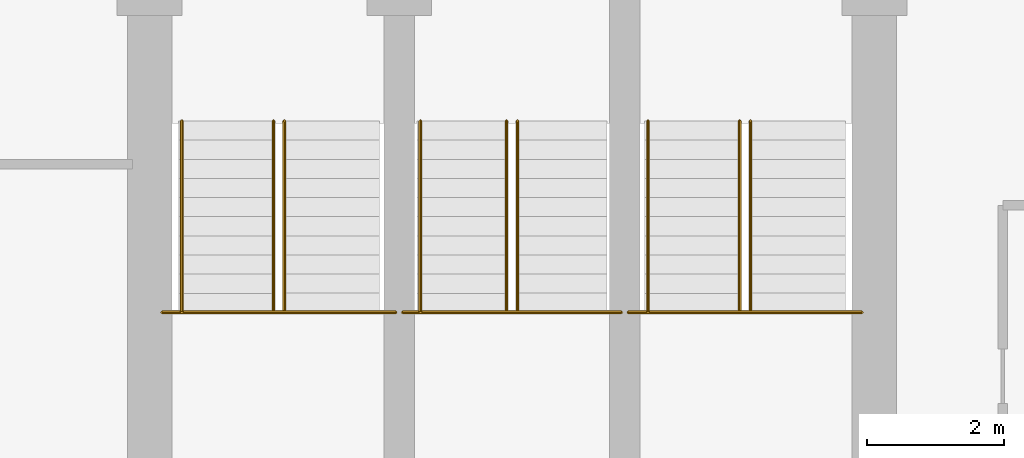
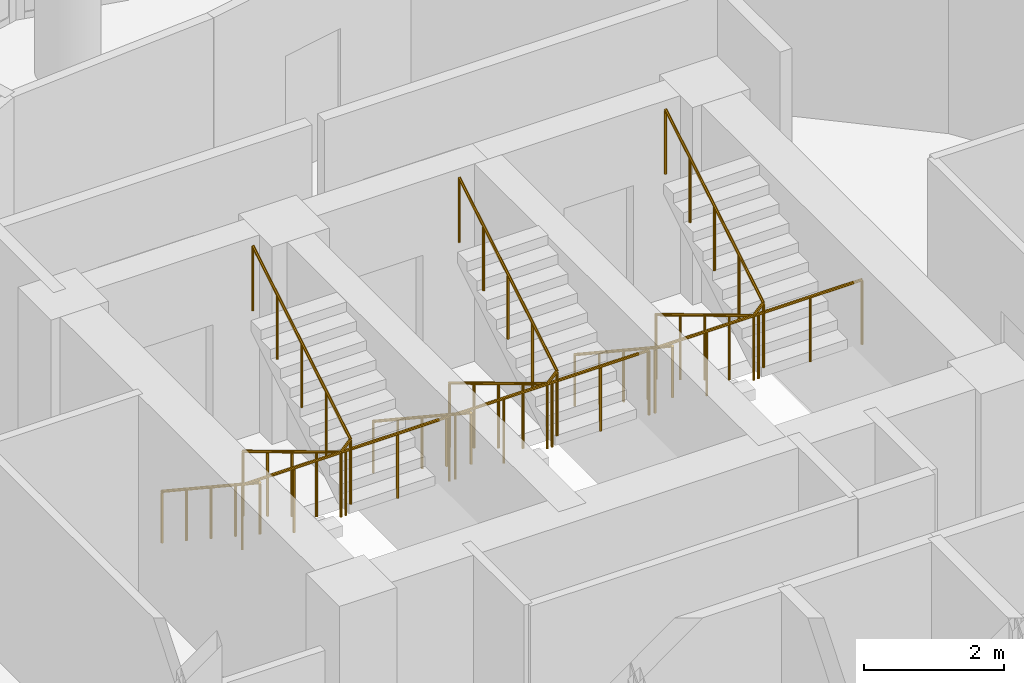
# One storey, part 26 of 26: 9 railings.
"""IFC4 building model written with IfcOpenShell, lengths in metres."""

from ifc_helpers import new_model, si_unit, direction, frame, origin, place, context, subcontext, project, spatial, polyline, outline, extrude, material, type_object, element, save


model = new_model("IFC4")

# Units and contexts
model_context = context("Model", 3, precision=1e-05, world=origin(), true_north=direction((0.0, 1.0)))
body_context = subcontext(model_context, "Body", "Model", "MODEL_VIEW")
ifc_project = project(units=[si_unit("LENGTHUNIT", "METRE"), si_unit("AREAUNIT", "SQUARE_METRE"), si_unit("VOLUMEUNIT", "CUBIC_METRE"), si_unit("PLANEANGLEUNIT", "RADIAN"), si_unit("MASSUNIT", "GRAM", prefix="KILO")], contexts=[model_context])

# Site, building, storey
site_placement = place(None, origin())
site = spatial("IfcSite", under=ifc_project, at=site_placement, CompositionType="ELEMENT")
building_placement = place(site_placement, origin())
building = spatial("IfcBuilding", under=site, at=building_placement, Name="Nuhasar Tower", CompositionType="ELEMENT")
storey_placement = place(building_placement, frame((0.0, 0.0, 125.64990234375)))
storey = spatial("IfcBuildingStorey", under=building, at=storey_placement, Name="L29", CompositionType="ELEMENT", Elevation=125.64990234375)

# Railings
ifc_material_1 = material(Name="Steel S355", Category="steel")
railing_type_1 = type_object("IfcRailingType", Name="RLG-STAIR-GUARD-1150", PredefinedType="GUARDRAIL", material=ifc_material_1)
railing_1_placement = place(storey_placement, frame((33.8798828125, 32.485107421875, 1.85009765625)))
element("IfcRailing", 1, at=railing_1_placement, inside=storey, type_object=railing_type_1, Name="L29 Stair ST-01 Guardrail LND", PredefinedType="GUARDRAIL", context=body_context, shape_type="SweptSolid", body=[
    extrude(outline(polyline([(0.024169921875, 0.0), (0.01708984375, 0.01708984375), (0.0, 0.024169921875), (-0.01708984375, 0.01708984375), (-0.024169921875, 0.0), (-0.01708984375, -0.01708984375), (0.0, -0.024169921875), (0.01708984375, -0.01708984375), (0.024169921875, 0.0)])), frame((0.0, 0.0, 1.1259765625), z_axis=(1.0, 0.0, 0.0), x_axis=(0.0, 1.0, 0.0)), (0.0, 0.0, 1.0), 3.420166015625),
    extrude(outline(polyline([(0.02099609375, 0.0), (0.014892578125, 0.014892578125), (0.0, 0.02099609375), (-0.014892578125, 0.014892578125), (-0.02099609375, 0.0), (-0.014892578125, -0.014892578125), (0.0, -0.02099609375), (0.014892578125, -0.014892578125), (0.02099609375, 0.0)])), origin(), (0.0, 0.0, 1.0), 1.101806640625),
    extrude(outline(polyline([(0.02099609375, 0.0), (0.014892578125, 0.014892578125), (0.0, 0.02099609375), (-0.014892578125, 0.014892578125), (-0.02099609375, 0.0), (-0.014892578125, -0.014892578125), (0.0, -0.02099609375), (0.014892578125, -0.014892578125), (0.02099609375, 0.0)])), frame((0.85498046875, 0.0, 0.0)), (0.0, 0.0, 1.0), 1.101806640625),
    extrude(outline(polyline([(0.02099609375, 0.0), (0.014892578125, 0.014892578125), (0.0, 0.02099609375), (-0.014892578125, 0.014892578125), (-0.02099609375, 0.0), (-0.014892578125, -0.014892578125), (0.0, -0.02099609375), (0.014892578125, -0.014892578125), (0.02099609375, 0.0)])), frame((1.7099609375, 0.0, 0.0)), (0.0, 0.0, 1.0), 1.101806640625),
    extrude(outline(polyline([(0.02099609375, 0.0), (0.014892578125, 0.014892578125), (0.0, 0.02099609375), (-0.014892578125, 0.014892578125), (-0.02099609375, 0.0), (-0.014892578125, -0.014892578125), (0.0, -0.02099609375), (0.014892578125, -0.014892578125), (0.02099609375, 0.0)])), frame((2.565185546875, 0.0, 0.0)), (0.0, 0.0, 1.0), 1.101806640625),
    extrude(outline(polyline([(0.02099609375, 0.0), (0.014892578125, 0.014892578125), (0.0, 0.02099609375), (-0.014892578125, 0.014892578125), (-0.02099609375, 0.0), (-0.014892578125, -0.014892578125), (0.0, -0.02099609375), (0.014892578125, -0.014892578125), (0.02099609375, 0.0)])), frame((3.420166015625, 0.0, 0.0)), (0.0, 0.0, 1.0), 1.101806640625),
])
railing_2_placement = place(storey_placement, frame((35.510009765625, 35.284912109375, 0.168212890625)))
element("IfcRailing", 2, at=railing_2_placement, inside=storey, type_object=railing_type_1, Name="L29 Stair ST-01 Guardrail SLT", PredefinedType="GUARDRAIL", context=body_context, shape_type="SweptSolid", body=[
    extrude(outline(polyline([(0.024169921875, 0.0), (0.01708984375, 0.01708984375), (0.0, 0.024169921875), (-0.01708984375, 0.01708984375), (-0.024169921875, 0.0), (-0.01708984375, -0.01708984375), (0.0, -0.024169921875), (0.01708984375, -0.01708984375), (0.024169921875, 0.0)])), frame((0.0, 0.0, 1.1259765625), z_axis=(0.0, -0.857222391501, 0.514946377315), x_axis=(1.0, 0.0, 0.0)), (0.0, 0.0, 1.0), 3.26611328125),
    extrude(outline(polyline([(0.024169921875, 0.0), (0.01708984375, 0.01708984375), (0.0, 0.024169921875), (-0.01708984375, 0.01708984375), (-0.024169921875, 0.0), (-0.01708984375, -0.01708984375), (0.0, -0.024169921875), (0.01708984375, -0.01708984375), (0.024169921875, 0.0)])), frame((0.0, -2.7998046875, 2.8076171875), z_axis=(0.689523729023, 0.0, 0.72426309247), x_axis=(0.0, 1.0, 0.0)), (0.0, 0.0, 1.0), 0.23193359375),
    extrude(outline(polyline([(0.024169921875, 0.0), (0.01708984375, 0.01708984375), (0.0, 0.024169921875), (-0.01708984375, 0.01708984375), (-0.024169921875, 0.0), (-0.01708984375, -0.01708984375), (0.0, -0.024169921875), (0.01708984375, -0.01708984375), (0.024169921875, 0.0)])), frame((0.159912109375, -2.7998046875, 2.9755859375), z_axis=(0.0, 0.857189395008, 0.515001302023), x_axis=(-1.0, 0.0, 0.0)), (0.0, 0.0, 1.0), 3.266357421875),
    extrude(outline(polyline([(0.02099609375, 0.0), (0.014892578125, 0.014892578125), (0.0, 0.02099609375), (-0.014892578125, 0.014892578125), (-0.02099609375, 0.0), (-0.014892578125, -0.014892578125), (0.0, -0.02099609375), (0.014892578125, -0.014892578125), (0.02099609375, 0.0)])), origin(), (0.0, 0.0, 1.0), 1.101806640625),
    extrude(outline(polyline([(0.02099609375, 0.0), (0.014892578125, 0.014892578125), (0.0, 0.02099609375), (-0.014892578125, 0.014892578125), (-0.02099609375, 0.0), (-0.014892578125, -0.014892578125), (0.0, -0.02099609375), (0.014892578125, -0.014892578125), (0.02099609375, 0.0)])), frame((0.0, -0.699951171875, 0.42041015625)), (0.0, 0.0, 1.0), 1.101806640625),
    extrude(outline(polyline([(0.02099609375, 0.0), (0.014892578125, 0.014892578125), (0.0, 0.02099609375), (-0.014892578125, 0.014892578125), (-0.02099609375, 0.0), (-0.014892578125, -0.014892578125), (0.0, -0.02099609375), (0.014892578125, -0.014892578125), (0.02099609375, 0.0)])), frame((0.0, -1.39990234375, 0.8408203125)), (0.0, 0.0, 1.0), 1.101806640625),
    extrude(outline(polyline([(0.02099609375, 0.0), (0.014892578125, 0.014892578125), (0.0, 0.02099609375), (-0.014892578125, 0.014892578125), (-0.02099609375, 0.0), (-0.014892578125, -0.014892578125), (0.0, -0.02099609375), (0.014892578125, -0.014892578125), (0.02099609375, 0.0)])), frame((0.0, -2.099853515625, 1.261474609375)), (0.0, 0.0, 1.0), 1.101806640625),
    extrude(outline(polyline([(0.02099609375, 0.0), (0.014892578125, 0.014892578125), (0.0, 0.02099609375), (-0.014892578125, 0.014892578125), (-0.02099609375, 0.0), (-0.014892578125, -0.014892578125), (0.0, -0.02099609375), (0.014892578125, -0.014892578125), (0.02099609375, 0.0)])), frame((0.0, -2.7998046875, 1.681884765625)), (0.0, 0.0, 1.0), 1.101806640625),
    extrude(outline(polyline([(0.02099609375, 0.0), (0.014892578125, 0.014892578125), (0.0, 0.02099609375), (-0.014892578125, 0.014892578125), (-0.02099609375, 0.0), (-0.014892578125, -0.014892578125), (0.0, -0.02099609375), (0.014892578125, -0.014892578125), (0.02099609375, 0.0)])), frame((0.159912109375, -2.7998046875, 1.849853515625)), (0.0, 0.0, 1.0), 1.101806640625),
    extrude(outline(polyline([(0.02099609375, 0.0), (0.014892578125, 0.014892578125), (0.0, 0.02099609375), (-0.014892578125, 0.014892578125), (-0.02099609375, 0.0), (-0.014892578125, -0.014892578125), (0.0, -0.02099609375), (0.014892578125, -0.014892578125), (0.02099609375, 0.0)])), frame((0.159912109375, -2.099853515625, 2.2705078125)), (0.0, 0.0, 1.0), 1.101806640625),
    extrude(outline(polyline([(0.02099609375, 0.0), (0.014892578125, 0.014892578125), (0.0, 0.02099609375), (-0.014892578125, 0.014892578125), (-0.02099609375, 0.0), (-0.014892578125, -0.014892578125), (0.0, -0.02099609375), (0.014892578125, -0.014892578125), (0.02099609375, 0.0)])), frame((0.159912109375, -1.39990234375, 2.69091796875)), (0.0, 0.0, 1.0), 1.101806640625),
    extrude(outline(polyline([(0.02099609375, 0.0), (0.014892578125, 0.014892578125), (0.0, 0.02099609375), (-0.014892578125, 0.014892578125), (-0.02099609375, 0.0), (-0.014892578125, -0.014892578125), (0.0, -0.02099609375), (0.014892578125, -0.014892578125), (0.02099609375, 0.0)])), frame((0.159912109375, -0.699951171875, 3.111328125)), (0.0, 0.0, 1.0), 1.101806640625),
    extrude(outline(polyline([(0.02099609375, 0.0), (0.014892578125, 0.014892578125), (0.0, 0.02099609375), (-0.014892578125, 0.014892578125), (-0.02099609375, 0.0), (-0.014892578125, -0.014892578125), (0.0, -0.02099609375), (0.014892578125, -0.014892578125), (0.02099609375, 0.0)])), frame((0.159912109375, 0.0, 3.531982421875)), (0.0, 0.0, 1.0), 1.101806640625),
])
railing_3_placement = place(storey_placement, frame((37.39990234375, 32.485107421875, 1.85009765625)))
element("IfcRailing", 3, at=railing_3_placement, inside=storey, type_object=railing_type_1, Name="L29 Stair ST-03 Guardrail LND", PredefinedType="GUARDRAIL", context=body_context, shape_type="SweptSolid", body=[
    extrude(outline(polyline([(0.024169921875, 0.0), (0.01708984375, 0.01708984375), (0.0, 0.024169921875), (-0.01708984375, 0.01708984375), (-0.024169921875, 0.0), (-0.01708984375, -0.01708984375), (0.0, -0.024169921875), (0.01708984375, -0.01708984375), (0.024169921875, 0.0)])), frame((0.0, 0.0, 1.1259765625), z_axis=(1.0, 0.0, 0.0), x_axis=(0.0, 1.0, 0.0)), (0.0, 0.0, 1.0), 3.2001953125),
    extrude(outline(polyline([(0.02099609375, 0.0), (0.014892578125, 0.014892578125), (0.0, 0.02099609375), (-0.014892578125, 0.014892578125), (-0.02099609375, 0.0), (-0.014892578125, -0.014892578125), (0.0, -0.02099609375), (0.014892578125, -0.014892578125), (0.02099609375, 0.0)])), origin(), (0.0, 0.0, 1.0), 1.101806640625),
    extrude(outline(polyline([(0.02099609375, 0.0), (0.014892578125, 0.014892578125), (0.0, 0.02099609375), (-0.014892578125, 0.014892578125), (-0.02099609375, 0.0), (-0.014892578125, -0.014892578125), (0.0, -0.02099609375), (0.014892578125, -0.014892578125), (0.02099609375, 0.0)])), frame((0.800048828125, 0.0, 0.0)), (0.0, 0.0, 1.0), 1.101806640625),
    extrude(outline(polyline([(0.02099609375, 0.0), (0.014892578125, 0.014892578125), (0.0, 0.02099609375), (-0.014892578125, 0.014892578125), (-0.02099609375, 0.0), (-0.014892578125, -0.014892578125), (0.0, -0.02099609375), (0.014892578125, -0.014892578125), (0.02099609375, 0.0)])), frame((1.60009765625, 0.0, 0.0)), (0.0, 0.0, 1.0), 1.101806640625),
    extrude(outline(polyline([(0.02099609375, 0.0), (0.014892578125, 0.014892578125), (0.0, 0.02099609375), (-0.014892578125, 0.014892578125), (-0.02099609375, 0.0), (-0.014892578125, -0.014892578125), (0.0, -0.02099609375), (0.014892578125, -0.014892578125), (0.02099609375, 0.0)])), frame((2.400146484375, 0.0, 0.0)), (0.0, 0.0, 1.0), 1.101806640625),
    extrude(outline(polyline([(0.02099609375, 0.0), (0.014892578125, 0.014892578125), (0.0, 0.02099609375), (-0.014892578125, 0.014892578125), (-0.02099609375, 0.0), (-0.014892578125, -0.014892578125), (0.0, -0.02099609375), (0.014892578125, -0.014892578125), (0.02099609375, 0.0)])), frame((3.2001953125, 0.0, 0.0)), (0.0, 0.0, 1.0), 1.101806640625),
])
railing_4_placement = place(storey_placement, frame((38.919921875, 35.284912109375, 0.168212890625)))
element("IfcRailing", 4, at=railing_4_placement, inside=storey, type_object=railing_type_1, Name="L29 Stair ST-03 Guardrail SLT", PredefinedType="GUARDRAIL", context=body_context, shape_type="SweptSolid", body=[
    extrude(outline(polyline([(0.024169921875, 0.0), (0.01708984375, 0.01708984375), (0.0, 0.024169921875), (-0.01708984375, 0.01708984375), (-0.024169921875, 0.0), (-0.01708984375, -0.01708984375), (0.0, -0.024169921875), (0.01708984375, -0.01708984375), (0.024169921875, 0.0)])), frame((0.0, 0.0, 1.1259765625), z_axis=(0.0, -0.857222391501, 0.514946377315), x_axis=(1.0, 0.0, 0.0)), (0.0, 0.0, 1.0), 3.26611328125),
    extrude(outline(polyline([(0.024169921875, 0.0), (0.01708984375, 0.01708984375), (0.0, 0.024169921875), (-0.01708984375, 0.01708984375), (-0.024169921875, 0.0), (-0.01708984375, -0.01708984375), (0.0, -0.024169921875), (0.01708984375, -0.01708984375), (0.024169921875, 0.0)])), frame((0.0, -2.7998046875, 2.8076171875), z_axis=(0.690075333573, 0.0, 0.723737544967), x_axis=(0.0, 1.0, 0.0)), (0.0, 0.0, 1.0), 0.232177734375),
    extrude(outline(polyline([(0.024169921875, 0.0), (0.01708984375, 0.01708984375), (0.0, 0.024169921875), (-0.01708984375, 0.01708984375), (-0.024169921875, 0.0), (-0.01708984375, -0.01708984375), (0.0, -0.024169921875), (0.01708984375, -0.01708984375), (0.024169921875, 0.0)])), frame((0.16015625, -2.7998046875, 2.9755859375), z_axis=(0.0, 0.857189395008, 0.515001302023), x_axis=(-1.0, 0.0, 0.0)), (0.0, 0.0, 1.0), 3.266357421875),
    extrude(outline(polyline([(0.02099609375, 0.0), (0.014892578125, 0.014892578125), (0.0, 0.02099609375), (-0.014892578125, 0.014892578125), (-0.02099609375, 0.0), (-0.014892578125, -0.014892578125), (0.0, -0.02099609375), (0.014892578125, -0.014892578125), (0.02099609375, 0.0)])), origin(), (0.0, 0.0, 1.0), 1.101806640625),
    extrude(outline(polyline([(0.02099609375, 0.0), (0.014892578125, 0.014892578125), (0.0, 0.02099609375), (-0.014892578125, 0.014892578125), (-0.02099609375, 0.0), (-0.014892578125, -0.014892578125), (0.0, -0.02099609375), (0.014892578125, -0.014892578125), (0.02099609375, 0.0)])), frame((0.0, -0.699951171875, 0.42041015625)), (0.0, 0.0, 1.0), 1.101806640625),
    extrude(outline(polyline([(0.02099609375, 0.0), (0.014892578125, 0.014892578125), (0.0, 0.02099609375), (-0.014892578125, 0.014892578125), (-0.02099609375, 0.0), (-0.014892578125, -0.014892578125), (0.0, -0.02099609375), (0.014892578125, -0.014892578125), (0.02099609375, 0.0)])), frame((0.0, -1.39990234375, 0.8408203125)), (0.0, 0.0, 1.0), 1.101806640625),
    extrude(outline(polyline([(0.02099609375, 0.0), (0.014892578125, 0.014892578125), (0.0, 0.02099609375), (-0.014892578125, 0.014892578125), (-0.02099609375, 0.0), (-0.014892578125, -0.014892578125), (0.0, -0.02099609375), (0.014892578125, -0.014892578125), (0.02099609375, 0.0)])), frame((0.0, -2.099853515625, 1.261474609375)), (0.0, 0.0, 1.0), 1.101806640625),
    extrude(outline(polyline([(0.02099609375, 0.0), (0.014892578125, 0.014892578125), (0.0, 0.02099609375), (-0.014892578125, 0.014892578125), (-0.02099609375, 0.0), (-0.014892578125, -0.014892578125), (0.0, -0.02099609375), (0.014892578125, -0.014892578125), (0.02099609375, 0.0)])), frame((0.0, -2.7998046875, 1.681884765625)), (0.0, 0.0, 1.0), 1.101806640625),
    extrude(outline(polyline([(0.02099609375, 0.0), (0.014892578125, 0.014892578125), (0.0, 0.02099609375), (-0.014892578125, 0.014892578125), (-0.02099609375, 0.0), (-0.014892578125, -0.014892578125), (0.0, -0.02099609375), (0.014892578125, -0.014892578125), (0.02099609375, 0.0)])), frame((0.16015625, -2.7998046875, 1.849853515625)), (0.0, 0.0, 1.0), 1.101806640625),
    extrude(outline(polyline([(0.02099609375, 0.0), (0.014892578125, 0.014892578125), (0.0, 0.02099609375), (-0.014892578125, 0.014892578125), (-0.02099609375, 0.0), (-0.014892578125, -0.014892578125), (0.0, -0.02099609375), (0.014892578125, -0.014892578125), (0.02099609375, 0.0)])), frame((0.16015625, -2.099853515625, 2.2705078125)), (0.0, 0.0, 1.0), 1.101806640625),
    extrude(outline(polyline([(0.02099609375, 0.0), (0.014892578125, 0.014892578125), (0.0, 0.02099609375), (-0.014892578125, 0.014892578125), (-0.02099609375, 0.0), (-0.014892578125, -0.014892578125), (0.0, -0.02099609375), (0.014892578125, -0.014892578125), (0.02099609375, 0.0)])), frame((0.16015625, -1.39990234375, 2.69091796875)), (0.0, 0.0, 1.0), 1.101806640625),
    extrude(outline(polyline([(0.02099609375, 0.0), (0.014892578125, 0.014892578125), (0.0, 0.02099609375), (-0.014892578125, 0.014892578125), (-0.02099609375, 0.0), (-0.014892578125, -0.014892578125), (0.0, -0.02099609375), (0.014892578125, -0.014892578125), (0.02099609375, 0.0)])), frame((0.16015625, -0.699951171875, 3.111328125)), (0.0, 0.0, 1.0), 1.101806640625),
    extrude(outline(polyline([(0.02099609375, 0.0), (0.014892578125, 0.014892578125), (0.0, 0.02099609375), (-0.014892578125, 0.014892578125), (-0.02099609375, 0.0), (-0.014892578125, -0.014892578125), (0.0, -0.02099609375), (0.014892578125, -0.014892578125), (0.02099609375, 0.0)])), frame((0.16015625, 0.0, 3.531982421875)), (0.0, 0.0, 1.0), 1.101806640625),
])
railing_5_placement = place(storey_placement, frame((40.699951171875, 32.485107421875, 1.85009765625)))
element("IfcRailing", 5, at=railing_5_placement, inside=storey, type_object=railing_type_1, Name="L29 Stair ST-02 Guardrail LND", PredefinedType="GUARDRAIL", context=body_context, shape_type="SweptSolid", body=[
    extrude(outline(polyline([(0.024169921875, 0.0), (0.01708984375, 0.01708984375), (0.0, 0.024169921875), (-0.01708984375, 0.01708984375), (-0.024169921875, 0.0), (-0.01708984375, -0.01708984375), (0.0, -0.024169921875), (0.01708984375, -0.01708984375), (0.024169921875, 0.0)])), frame((0.0, 0.0, 1.1259765625), z_axis=(1.0, 0.0, 0.0), x_axis=(0.0, 1.0, 0.0)), (0.0, 0.0, 1.0), 3.420166015625),
    extrude(outline(polyline([(0.02099609375, 0.0), (0.014892578125, 0.014892578125), (0.0, 0.02099609375), (-0.014892578125, 0.014892578125), (-0.02099609375, 0.0), (-0.014892578125, -0.014892578125), (0.0, -0.02099609375), (0.014892578125, -0.014892578125), (0.02099609375, 0.0)])), origin(), (0.0, 0.0, 1.0), 1.101806640625),
    extrude(outline(polyline([(0.02099609375, 0.0), (0.014892578125, 0.014892578125), (0.0, 0.02099609375), (-0.014892578125, 0.014892578125), (-0.02099609375, 0.0), (-0.014892578125, -0.014892578125), (0.0, -0.02099609375), (0.014892578125, -0.014892578125), (0.02099609375, 0.0)])), frame((0.85498046875, 0.0, 0.0)), (0.0, 0.0, 1.0), 1.101806640625),
    extrude(outline(polyline([(0.02099609375, 0.0), (0.014892578125, 0.014892578125), (0.0, 0.02099609375), (-0.014892578125, 0.014892578125), (-0.02099609375, 0.0), (-0.014892578125, -0.014892578125), (0.0, -0.02099609375), (0.014892578125, -0.014892578125), (0.02099609375, 0.0)])), frame((1.7099609375, 0.0, 0.0)), (0.0, 0.0, 1.0), 1.101806640625),
    extrude(outline(polyline([(0.02099609375, 0.0), (0.014892578125, 0.014892578125), (0.0, 0.02099609375), (-0.014892578125, 0.014892578125), (-0.02099609375, 0.0), (-0.014892578125, -0.014892578125), (0.0, -0.02099609375), (0.014892578125, -0.014892578125), (0.02099609375, 0.0)])), frame((2.565185546875, 0.0, 0.0)), (0.0, 0.0, 1.0), 1.101806640625),
    extrude(outline(polyline([(0.02099609375, 0.0), (0.014892578125, 0.014892578125), (0.0, 0.02099609375), (-0.014892578125, 0.014892578125), (-0.02099609375, 0.0), (-0.014892578125, -0.014892578125), (0.0, -0.02099609375), (0.014892578125, -0.014892578125), (0.02099609375, 0.0)])), frame((3.420166015625, 0.0, 0.0)), (0.0, 0.0, 1.0), 1.101806640625),
])
railing_6_placement = place(storey_placement, frame((42.330078125, 35.284912109375, 0.168212890625)))
element("IfcRailing", 6, at=railing_6_placement, inside=storey, type_object=railing_type_1, Name="L29 Stair ST-02 Guardrail SLT", PredefinedType="GUARDRAIL", context=body_context, shape_type="SweptSolid", body=[
    extrude(outline(polyline([(0.024169921875, 0.0), (0.01708984375, 0.01708984375), (0.0, 0.024169921875), (-0.01708984375, 0.01708984375), (-0.024169921875, 0.0), (-0.01708984375, -0.01708984375), (0.0, -0.024169921875), (0.01708984375, -0.01708984375), (0.024169921875, 0.0)])), frame((0.0, 0.0, 1.1259765625), z_axis=(0.0, -0.857222391501, 0.514946377315), x_axis=(1.0, 0.0, 0.0)), (0.0, 0.0, 1.0), 3.26611328125),
    extrude(outline(polyline([(0.024169921875, 0.0), (0.01708984375, 0.01708984375), (0.0, 0.024169921875), (-0.01708984375, 0.01708984375), (-0.024169921875, 0.0), (-0.01708984375, -0.01708984375), (0.0, -0.024169921875), (0.01708984375, -0.01708984375), (0.024169921875, 0.0)])), frame((0.0, -2.7998046875, 2.8076171875), z_axis=(0.689523729023, 0.0, 0.72426309247), x_axis=(0.0, 1.0, 0.0)), (0.0, 0.0, 1.0), 0.23193359375),
    extrude(outline(polyline([(0.024169921875, 0.0), (0.01708984375, 0.01708984375), (0.0, 0.024169921875), (-0.01708984375, 0.01708984375), (-0.024169921875, 0.0), (-0.01708984375, -0.01708984375), (0.0, -0.024169921875), (0.01708984375, -0.01708984375), (0.024169921875, 0.0)])), frame((0.159912109375, -2.7998046875, 2.9755859375), z_axis=(0.0, 0.857189395008, 0.515001302023), x_axis=(-1.0, 0.0, 0.0)), (0.0, 0.0, 1.0), 3.266357421875),
    extrude(outline(polyline([(0.02099609375, 0.0), (0.014892578125, 0.014892578125), (0.0, 0.02099609375), (-0.014892578125, 0.014892578125), (-0.02099609375, 0.0), (-0.014892578125, -0.014892578125), (0.0, -0.02099609375), (0.014892578125, -0.014892578125), (0.02099609375, 0.0)])), origin(), (0.0, 0.0, 1.0), 1.101806640625),
    extrude(outline(polyline([(0.02099609375, 0.0), (0.014892578125, 0.014892578125), (0.0, 0.02099609375), (-0.014892578125, 0.014892578125), (-0.02099609375, 0.0), (-0.014892578125, -0.014892578125), (0.0, -0.02099609375), (0.014892578125, -0.014892578125), (0.02099609375, 0.0)])), frame((0.0, -0.699951171875, 0.42041015625)), (0.0, 0.0, 1.0), 1.101806640625),
    extrude(outline(polyline([(0.02099609375, 0.0), (0.014892578125, 0.014892578125), (0.0, 0.02099609375), (-0.014892578125, 0.014892578125), (-0.02099609375, 0.0), (-0.014892578125, -0.014892578125), (0.0, -0.02099609375), (0.014892578125, -0.014892578125), (0.02099609375, 0.0)])), frame((0.0, -1.39990234375, 0.8408203125)), (0.0, 0.0, 1.0), 1.101806640625),
    extrude(outline(polyline([(0.02099609375, 0.0), (0.014892578125, 0.014892578125), (0.0, 0.02099609375), (-0.014892578125, 0.014892578125), (-0.02099609375, 0.0), (-0.014892578125, -0.014892578125), (0.0, -0.02099609375), (0.014892578125, -0.014892578125), (0.02099609375, 0.0)])), frame((0.0, -2.099853515625, 1.261474609375)), (0.0, 0.0, 1.0), 1.101806640625),
    extrude(outline(polyline([(0.02099609375, 0.0), (0.014892578125, 0.014892578125), (0.0, 0.02099609375), (-0.014892578125, 0.014892578125), (-0.02099609375, 0.0), (-0.014892578125, -0.014892578125), (0.0, -0.02099609375), (0.014892578125, -0.014892578125), (0.02099609375, 0.0)])), frame((0.0, -2.7998046875, 1.681884765625)), (0.0, 0.0, 1.0), 1.101806640625),
    extrude(outline(polyline([(0.02099609375, 0.0), (0.014892578125, 0.014892578125), (0.0, 0.02099609375), (-0.014892578125, 0.014892578125), (-0.02099609375, 0.0), (-0.014892578125, -0.014892578125), (0.0, -0.02099609375), (0.014892578125, -0.014892578125), (0.02099609375, 0.0)])), frame((0.159912109375, -2.7998046875, 1.849853515625)), (0.0, 0.0, 1.0), 1.101806640625),
    extrude(outline(polyline([(0.02099609375, 0.0), (0.014892578125, 0.014892578125), (0.0, 0.02099609375), (-0.014892578125, 0.014892578125), (-0.02099609375, 0.0), (-0.014892578125, -0.014892578125), (0.0, -0.02099609375), (0.014892578125, -0.014892578125), (0.02099609375, 0.0)])), frame((0.159912109375, -2.099853515625, 2.2705078125)), (0.0, 0.0, 1.0), 1.101806640625),
    extrude(outline(polyline([(0.02099609375, 0.0), (0.014892578125, 0.014892578125), (0.0, 0.02099609375), (-0.014892578125, 0.014892578125), (-0.02099609375, 0.0), (-0.014892578125, -0.014892578125), (0.0, -0.02099609375), (0.014892578125, -0.014892578125), (0.02099609375, 0.0)])), frame((0.159912109375, -1.39990234375, 2.69091796875)), (0.0, 0.0, 1.0), 1.101806640625),
    extrude(outline(polyline([(0.02099609375, 0.0), (0.014892578125, 0.014892578125), (0.0, 0.02099609375), (-0.014892578125, 0.014892578125), (-0.02099609375, 0.0), (-0.014892578125, -0.014892578125), (0.0, -0.02099609375), (0.014892578125, -0.014892578125), (0.02099609375, 0.0)])), frame((0.159912109375, -0.699951171875, 3.111328125)), (0.0, 0.0, 1.0), 1.101806640625),
    extrude(outline(polyline([(0.02099609375, 0.0), (0.014892578125, 0.014892578125), (0.0, 0.02099609375), (-0.014892578125, 0.014892578125), (-0.02099609375, 0.0), (-0.014892578125, -0.014892578125), (0.0, -0.02099609375), (0.014892578125, -0.014892578125), (0.02099609375, 0.0)])), frame((0.159912109375, 0.0, 3.531982421875)), (0.0, 0.0, 1.0), 1.101806640625),
])
ifc_material_2 = material(Name="Stainless Steel 316L", Category="steel")
railing_type_2 = type_object("IfcRailingType", Name="RLG-STAIR-HAND-920", PredefinedType="HANDRAIL", material=ifc_material_2)
railing_7_placement = place(storey_placement, frame((34.169921875, 35.284912109375, 0.168212890625)))
element("IfcRailing", 7, at=railing_7_placement, inside=storey, type_object=railing_type_2, Name="L29 Stair ST-01 Handrail HND1", PredefinedType="HANDRAIL", context=body_context, shape_type="SweptSolid", body=[
    extrude(outline(polyline([(0.024169921875, 0.0), (0.01708984375, 0.01708984375), (0.0, 0.024169921875), (-0.01708984375, 0.01708984375), (-0.024169921875, 0.0), (-0.01708984375, -0.01708984375), (0.0, -0.024169921875), (0.01708984375, -0.01708984375), (0.024169921875, 0.0)])), frame((0.0, 0.0, 0.89599609375), z_axis=(0.0, -0.834337710781, 0.551253647941), x_axis=(1.0, 0.0, 0.0)), (0.0, 0.0, 1.0), 3.355712890625),
    extrude(outline(polyline([(0.02099609375, 0.0), (0.014892578125, 0.014892578125), (0.0, 0.02099609375), (-0.014892578125, 0.014892578125), (-0.02099609375, 0.0), (-0.014892578125, -0.014892578125), (0.0, -0.02099609375), (0.014892578125, -0.014892578125), (0.02099609375, 0.0)])), origin(), (0.0, 0.0, 1.0), 0.871826171875),
    extrude(outline(polyline([(0.02099609375, 0.0), (0.014892578125, 0.014892578125), (0.0, 0.02099609375), (-0.014892578125, 0.014892578125), (-0.02099609375, 0.0), (-0.014892578125, -0.014892578125), (0.0, -0.02099609375), (0.014892578125, -0.014892578125), (0.02099609375, 0.0)])), frame((0.0, -0.699951171875, 0.46240234375)), (0.0, 0.0, 1.0), 0.871826171875),
    extrude(outline(polyline([(0.02099609375, 0.0), (0.014892578125, 0.014892578125), (0.0, 0.02099609375), (-0.014892578125, 0.014892578125), (-0.02099609375, 0.0), (-0.014892578125, -0.014892578125), (0.0, -0.02099609375), (0.014892578125, -0.014892578125), (0.02099609375, 0.0)])), frame((0.0, -1.39990234375, 0.9248046875)), (0.0, 0.0, 1.0), 0.871826171875),
    extrude(outline(polyline([(0.02099609375, 0.0), (0.014892578125, 0.014892578125), (0.0, 0.02099609375), (-0.014892578125, 0.014892578125), (-0.02099609375, 0.0), (-0.014892578125, -0.014892578125), (0.0, -0.02099609375), (0.014892578125, -0.014892578125), (0.02099609375, 0.0)])), frame((0.0, -2.099853515625, 1.387451171875)), (0.0, 0.0, 1.0), 0.871826171875),
    extrude(outline(polyline([(0.02099609375, 0.0), (0.014892578125, 0.014892578125), (0.0, 0.02099609375), (-0.014892578125, 0.014892578125), (-0.02099609375, 0.0), (-0.014892578125, -0.014892578125), (0.0, -0.02099609375), (0.014892578125, -0.014892578125), (0.02099609375, 0.0)])), frame((0.0, -2.7998046875, 1.849853515625)), (0.0, 0.0, 1.0), 0.871826171875),
])
railing_8_placement = place(storey_placement, frame((37.659912109375, 35.284912109375, 0.168212890625)))
element("IfcRailing", 8, at=railing_8_placement, inside=storey, type_object=railing_type_2, Name="L29 Stair ST-03 Handrail HND1", PredefinedType="HANDRAIL", context=body_context, shape_type="SweptSolid", body=[
    extrude(outline(polyline([(0.024169921875, 0.0), (0.01708984375, 0.01708984375), (0.0, 0.024169921875), (-0.01708984375, 0.01708984375), (-0.024169921875, 0.0), (-0.01708984375, -0.01708984375), (0.0, -0.024169921875), (0.01708984375, -0.01708984375), (0.024169921875, 0.0)])), frame((0.0, 0.0, 0.89599609375), z_axis=(0.0, -0.834337710781, 0.551253647941), x_axis=(1.0, 0.0, 0.0)), (0.0, 0.0, 1.0), 3.355712890625),
    extrude(outline(polyline([(0.02099609375, 0.0), (0.014892578125, 0.014892578125), (0.0, 0.02099609375), (-0.014892578125, 0.014892578125), (-0.02099609375, 0.0), (-0.014892578125, -0.014892578125), (0.0, -0.02099609375), (0.014892578125, -0.014892578125), (0.02099609375, 0.0)])), origin(), (0.0, 0.0, 1.0), 0.871826171875),
    extrude(outline(polyline([(0.02099609375, 0.0), (0.014892578125, 0.014892578125), (0.0, 0.02099609375), (-0.014892578125, 0.014892578125), (-0.02099609375, 0.0), (-0.014892578125, -0.014892578125), (0.0, -0.02099609375), (0.014892578125, -0.014892578125), (0.02099609375, 0.0)])), frame((0.0, -0.699951171875, 0.46240234375)), (0.0, 0.0, 1.0), 0.871826171875),
    extrude(outline(polyline([(0.02099609375, 0.0), (0.014892578125, 0.014892578125), (0.0, 0.02099609375), (-0.014892578125, 0.014892578125), (-0.02099609375, 0.0), (-0.014892578125, -0.014892578125), (0.0, -0.02099609375), (0.014892578125, -0.014892578125), (0.02099609375, 0.0)])), frame((0.0, -1.39990234375, 0.9248046875)), (0.0, 0.0, 1.0), 0.871826171875),
    extrude(outline(polyline([(0.02099609375, 0.0), (0.014892578125, 0.014892578125), (0.0, 0.02099609375), (-0.014892578125, 0.014892578125), (-0.02099609375, 0.0), (-0.014892578125, -0.014892578125), (0.0, -0.02099609375), (0.014892578125, -0.014892578125), (0.02099609375, 0.0)])), frame((0.0, -2.099853515625, 1.387451171875)), (0.0, 0.0, 1.0), 0.871826171875),
    extrude(outline(polyline([(0.02099609375, 0.0), (0.014892578125, 0.014892578125), (0.0, 0.02099609375), (-0.014892578125, 0.014892578125), (-0.02099609375, 0.0), (-0.014892578125, -0.014892578125), (0.0, -0.02099609375), (0.014892578125, -0.014892578125), (0.02099609375, 0.0)])), frame((0.0, -2.7998046875, 1.849853515625)), (0.0, 0.0, 1.0), 0.871826171875),
])
railing_9_placement = place(storey_placement, frame((40.989990234375, 35.284912109375, 0.168212890625)))
element("IfcRailing", 9, at=railing_9_placement, inside=storey, type_object=railing_type_2, Name="L29 Stair ST-02 Handrail HND1", PredefinedType="HANDRAIL", context=body_context, shape_type="SweptSolid", body=[
    extrude(outline(polyline([(0.024169921875, 0.0), (0.01708984375, 0.01708984375), (0.0, 0.024169921875), (-0.01708984375, 0.01708984375), (-0.024169921875, 0.0), (-0.01708984375, -0.01708984375), (0.0, -0.024169921875), (0.01708984375, -0.01708984375), (0.024169921875, 0.0)])), frame((0.0, 0.0, 0.89599609375), z_axis=(0.0, -0.834337710781, 0.551253647941), x_axis=(1.0, 0.0, 0.0)), (0.0, 0.0, 1.0), 3.355712890625),
    extrude(outline(polyline([(0.02099609375, 0.0), (0.014892578125, 0.014892578125), (0.0, 0.02099609375), (-0.014892578125, 0.014892578125), (-0.02099609375, 0.0), (-0.014892578125, -0.014892578125), (0.0, -0.02099609375), (0.014892578125, -0.014892578125), (0.02099609375, 0.0)])), origin(), (0.0, 0.0, 1.0), 0.871826171875),
    extrude(outline(polyline([(0.02099609375, 0.0), (0.014892578125, 0.014892578125), (0.0, 0.02099609375), (-0.014892578125, 0.014892578125), (-0.02099609375, 0.0), (-0.014892578125, -0.014892578125), (0.0, -0.02099609375), (0.014892578125, -0.014892578125), (0.02099609375, 0.0)])), frame((0.0, -0.699951171875, 0.46240234375)), (0.0, 0.0, 1.0), 0.871826171875),
    extrude(outline(polyline([(0.02099609375, 0.0), (0.014892578125, 0.014892578125), (0.0, 0.02099609375), (-0.014892578125, 0.014892578125), (-0.02099609375, 0.0), (-0.014892578125, -0.014892578125), (0.0, -0.02099609375), (0.014892578125, -0.014892578125), (0.02099609375, 0.0)])), frame((0.0, -1.39990234375, 0.9248046875)), (0.0, 0.0, 1.0), 0.871826171875),
    extrude(outline(polyline([(0.02099609375, 0.0), (0.014892578125, 0.014892578125), (0.0, 0.02099609375), (-0.014892578125, 0.014892578125), (-0.02099609375, 0.0), (-0.014892578125, -0.014892578125), (0.0, -0.02099609375), (0.014892578125, -0.014892578125), (0.02099609375, 0.0)])), frame((0.0, -2.099853515625, 1.387451171875)), (0.0, 0.0, 1.0), 0.871826171875),
    extrude(outline(polyline([(0.02099609375, 0.0), (0.014892578125, 0.014892578125), (0.0, 0.02099609375), (-0.014892578125, 0.014892578125), (-0.02099609375, 0.0), (-0.014892578125, -0.014892578125), (0.0, -0.02099609375), (0.014892578125, -0.014892578125), (0.02099609375, 0.0)])), frame((0.0, -2.7998046875, 1.849853515625)), (0.0, 0.0, 1.0), 0.871826171875),
])

save(model, "model.ifc")
